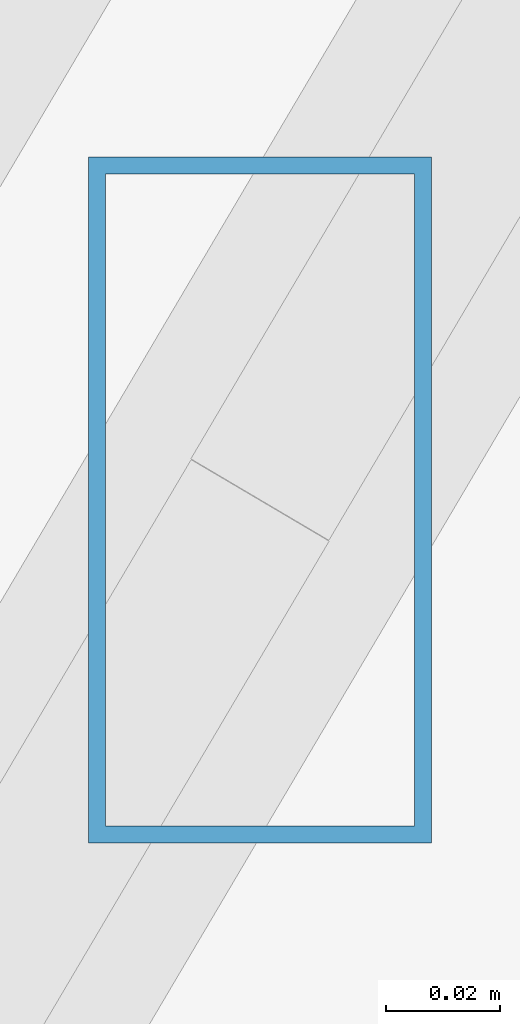
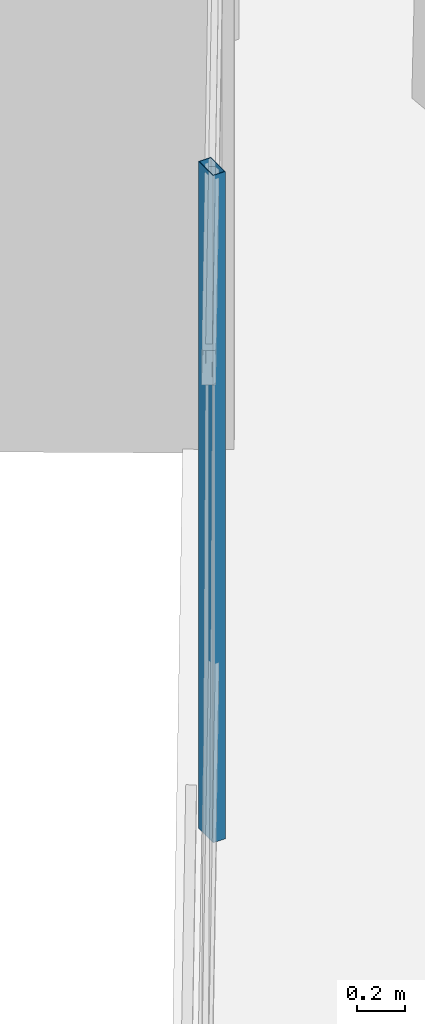
# One storey, part 32 of 46: 1 member, 1 element without a shape of its own.
"""IFC4 building model written with IfcOpenShell, lengths in metres."""

from ifc_helpers import new_model, si_unit, direction, frame, origin, origin_2d, place, context, subcontext, project, spatial, hollow_rectangle, extrude, source, transform, mapped, material, material_profile, profile_set, type_object, type_shapes, element, aggregate, save


model = new_model("IFC4")

# Units and contexts
model_context = context("Model", 3, precision=1e-05, world=origin(), true_north=direction((0.0, 1.0)))
body_context = subcontext(model_context, "Body", "Model", "MODEL_VIEW")
ifc_project = project(units=[si_unit("LENGTHUNIT", "METRE"), si_unit("AREAUNIT", "SQUARE_METRE"), si_unit("VOLUMEUNIT", "CUBIC_METRE"), si_unit("PLANEANGLEUNIT", "RADIAN"), si_unit("MASSUNIT", "GRAM", prefix="KILO")], contexts=[model_context])

# Site, building, storey
site_placement = place(None, origin())
site = spatial("IfcSite", under=ifc_project, at=site_placement, CompositionType="ELEMENT")
building_placement = place(site_placement, origin())
building = spatial("IfcBuilding", under=site, at=building_placement, Name="Caelisora Broadcast Tower", CompositionType="ELEMENT")
storey_placement = place(building_placement, frame((0.0, 0.0, 251.75)))
storey = spatial("IfcBuildingStorey", under=building, at=storey_placement, Name="L66", CompositionType="ELEMENT", Elevation=251.75)

# Curtain wall, member
ifc_material_1 = material(Name="Unitised Aluminium and Low-E Glass Curtain Wall", Category="glass")
curtain_wall_type = type_object("IfcCurtainWallType", Name="CW-Z5", PredefinedType="NOTDEFINED", material=ifc_material_1)
curtain_wall_placement = place(storey_placement, origin())
curtain_wall = element("IfcCurtainWall", 1, at=curtain_wall_placement, inside=storey, type_object=curtain_wall_type, Name="L66 curtain wall CW-Z5", PredefinedType="NOTDEFINED")
ifc_material_2 = material(Name="Aluminium 6063-T6 Anodised Terracotta Bronze", Category="aluminium")
ifc_material_profile = material_profile(ifc_material_2, hollow_rectangle(XDim=0.06005859375, YDim=0.1201171875, WallThickness=0.0029296875, at=origin_2d()), Name="Aluminium 6063-T6 Anodised Terracotta Bronze")
ifc_profile_set = profile_set([ifc_material_profile], Name="Aluminium 6063-T6 Anodised Terracotta Bronze")
member_type = type_object("IfcMemberType", Name="CWM-04", PredefinedType="MULLION", material=ifc_profile_set)
shared_shape = source(origin(), body_context, "Body", "SweptSolid", [
    extrude(hollow_rectangle(XDim=0.06005859375, YDim=0.1201171875, WallThickness=0.0029296875, at=origin_2d()), origin(), (0.0, 0.0, 1.0), 3.39990234375),
])
type_shapes(member_type, [shared_shape])
member_placement = place(storey_placement, frame((30.30224609375, 42.757568359375, 0.0), z_axis=(0.0, 0.0, 1.0), x_axis=(1.0, 0.0, 0.0)))
member = element("IfcMember", 2, at=member_placement, type_object=member_type, Name="L66-CW-B11 mullion #1", PredefinedType="MULLION", context=body_context, shape_type="MappedRepresentation", body=[
    mapped(shared_shape, transform((0.0, 0.0, 0.0), scale=1.0)),
])
aggregate(curtain_wall, [member])

save(model, "model.ifc")
